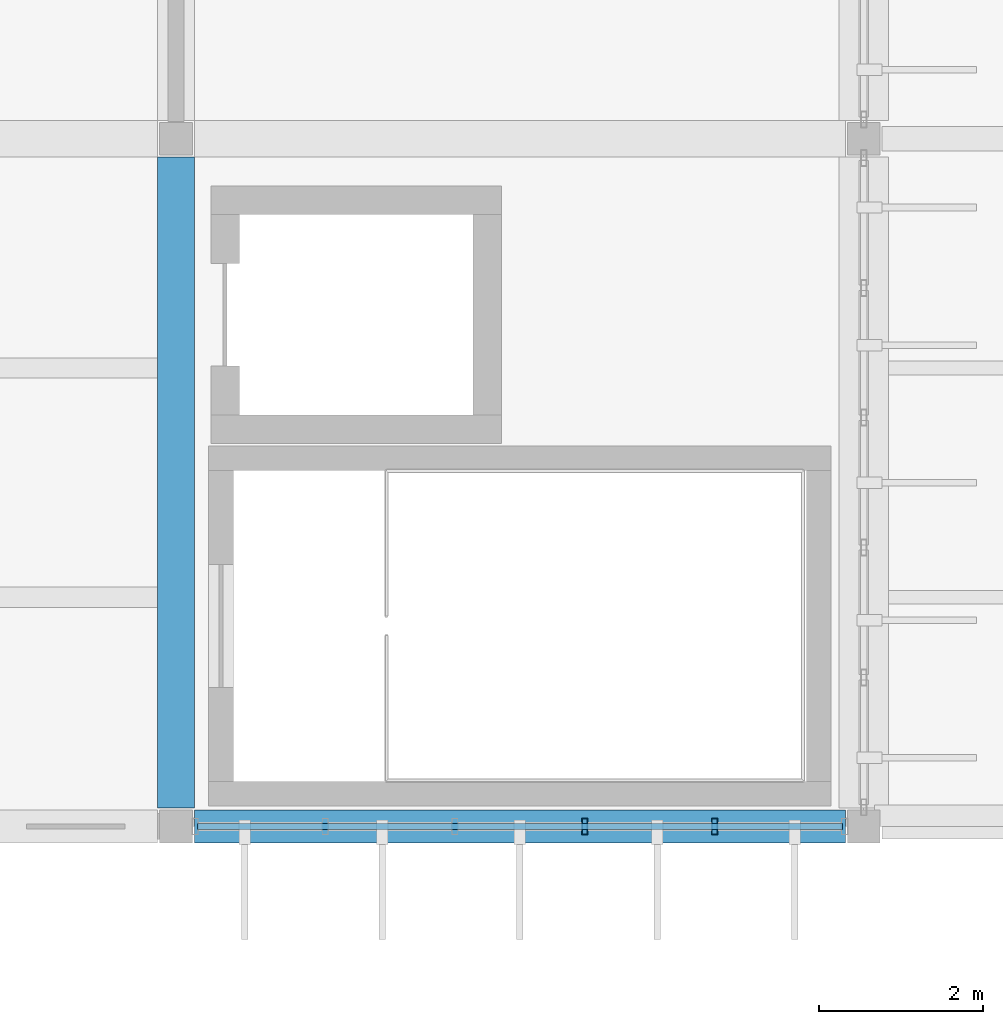
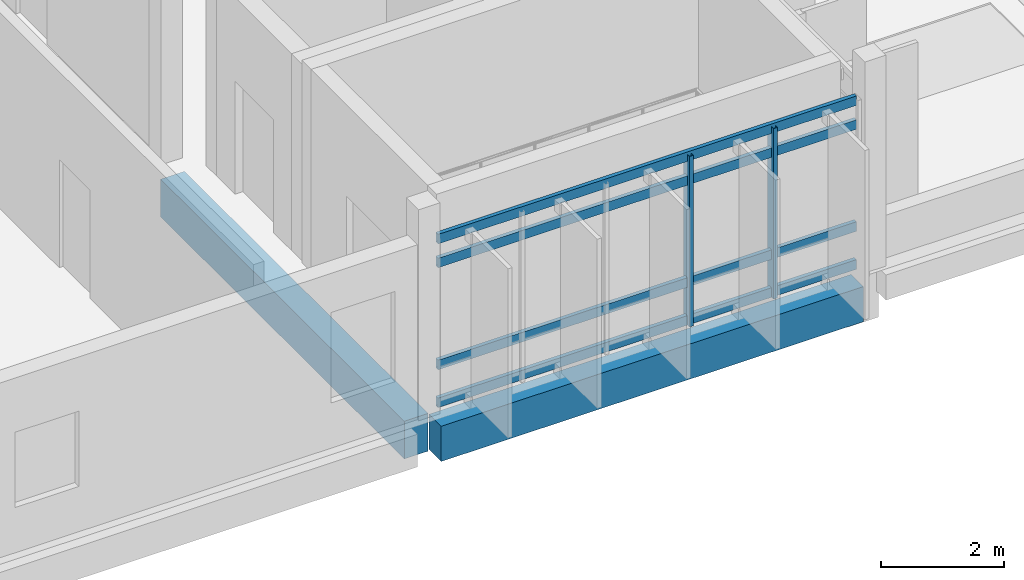
# One storey, part 4 of 41: 6 members, 2 beams, 1 element without a shape of its own.
"""IFC4 building model written with IfcOpenShell, lengths in metres."""

from ifc_helpers import new_model, si_unit, direction, frame, origin, origin_2d, place, context, subcontext, project, spatial, rectangle, hollow_rectangle, extrude, material, layer, layer_set, material_profile, profile_set, type_object, element, aggregate, save


model = new_model("IFC4")

# Units and contexts
model_context = context("Model", 3, precision=1e-05, world=origin(), true_north=direction((0.0, 1.0)))
body_context = subcontext(model_context, "Body", "Model", "MODEL_VIEW")
ifc_project = project(units=[si_unit("LENGTHUNIT", "METRE"), si_unit("AREAUNIT", "SQUARE_METRE"), si_unit("VOLUMEUNIT", "CUBIC_METRE"), si_unit("PLANEANGLEUNIT", "RADIAN"), si_unit("MASSUNIT", "GRAM", prefix="KILO")], contexts=[model_context])

# Site, building, storey
site_placement = place(None, origin())
site = spatial("IfcSite", under=ifc_project, at=site_placement, CompositionType="ELEMENT")
building_placement = place(site_placement, origin())
building = spatial("IfcBuilding", under=site, at=building_placement, Name="Vireocrest Preparatory School", CompositionType="ELEMENT")
storey_placement = place(building_placement, frame((0.0, 0.0, 21.60009765625)))
storey = spatial("IfcBuildingStorey", under=building, at=storey_placement, Name="L05", CompositionType="ELEMENT", Elevation=21.60009765625)

# Curtain wall, members
ifc_material_1 = material(Name="Thermally broken aluminium EN AW-6063-T6", Category="aluminium")
ifc_layer = layer(ifc_material_1, 0.179931640625)
ifc_layer_set = layer_set([ifc_layer], Name="Thermally broken aluminium EN AW-6063-T6")
curtain_wall_type = type_object("IfcCurtainWallType", Name="Side Facade Curtain Wall 9000x4200", PredefinedType="USERDEFINED", material=ifc_layer_set)
curtain_wall_placement = place(storey_placement, origin())
curtain_wall = element("IfcCurtainWall", 1, at=curtain_wall_placement, inside=storey, type_object=curtain_wall_type, Name="Curtain Wall CW07 CW_L05_CW07_0506_0438_216", ObjectType="CURTAIN WALL", PredefinedType="USERDEFINED")
ifc_material_profile_1 = material_profile(ifc_material_1, hollow_rectangle(XDim=0.074951171875, YDim=0.199951171875, WallThickness=0.0048828125, at=origin_2d()), Name="ALU 75x200x5")
ifc_profile_set_1 = profile_set([ifc_material_profile_1], Name="Thermally broken aluminium EN AW-6063-T6")
member_type_1 = type_object("IfcMemberType", Name="CW Mullion 75x200x5", PredefinedType="MULLION", material=ifc_profile_set_1)
member_1_placement = place(storey_placement, frame((55.39306640625, 43.800048828125, 0.0), z_axis=(0.0, 0.0, 1.0), x_axis=(1.0, 0.0, 0.0)))
member_1 = element("IfcMember", 2, at=member_1_placement, type_object=member_type_1, Name="CW Mullion ML3 CW_L05_CW07_0506_0438_216-4", PredefinedType="MULLION", context=body_context, shape_type="SweptSolid", body=[
    extrude(hollow_rectangle(XDim=0.074951171875, YDim=0.199951171875, WallThickness=0.0048828125, at=origin_2d()), origin(), (0.0, 0.0, 1.0), 3.39501953125),
])
member_2_placement = place(storey_placement, frame((56.97900390625, 43.800048828125, 0.0), z_axis=(0.0, 0.0, 1.0), x_axis=(1.0, 0.0, 0.0)))
member_2 = element("IfcMember", 3, at=member_2_placement, type_object=member_type_1, Name="CW Mullion ML3 CW_L05_CW07_0506_0438_216-5", PredefinedType="MULLION", context=body_context, shape_type="SweptSolid", body=[
    extrude(hollow_rectangle(XDim=0.074951171875, YDim=0.199951171875, WallThickness=0.0048828125, at=origin_2d()), origin(), (0.0, 0.0, 1.0), 3.39501953125),
])
ifc_material_profile_2 = material_profile(ifc_material_1, hollow_rectangle(XDim=0.074951171875, YDim=0.18994140625, WallThickness=0.00390625, at=origin_2d()), Name="ALU 75x190x4")
ifc_profile_set_2 = profile_set([ifc_material_profile_2], Name="Thermally broken aluminium EN AW-6063-T6")
member_type_2 = type_object("IfcMemberType", Name="CW Transom 75x190x4", PredefinedType="USERDEFINED", material=ifc_profile_set_2)
member_3_placement = place(storey_placement, frame((50.659912109375, 43.800048828125, 0.094970703125), z_axis=(1.0, 0.0, 0.0), x_axis=(0.0, 1.0, 0.0)))
member_3 = element("IfcMember", 4, at=member_3_placement, type_object=member_type_2, Name="CW Transom TR3 CW_L05_CW07_0506_0438_216-1", ObjectType="TRANSOM", PredefinedType="USERDEFINED", context=body_context, shape_type="SweptSolid", body=[
    extrude(hollow_rectangle(XDim=0.074951171875, YDim=0.18994140625, WallThickness=0.00390625, at=origin_2d()), origin(), (0.0, 0.0, 1.0), 7.880126953125),
])
member_4_placement = place(storey_placement, frame((50.659912109375, 43.800048828125, 0.849853515625), z_axis=(1.0, 0.0, 0.0), x_axis=(0.0, 1.0, 0.0)))
member_4 = element("IfcMember", 5, at=member_4_placement, type_object=member_type_2, Name="CW Transom TR3 CW_L05_CW07_0506_0438_216-2", ObjectType="TRANSOM", PredefinedType="USERDEFINED", context=body_context, shape_type="SweptSolid", body=[
    extrude(hollow_rectangle(XDim=0.074951171875, YDim=0.18994140625, WallThickness=0.00390625, at=origin_2d()), origin(), (0.0, 0.0, 1.0), 7.880126953125),
])
member_5_placement = place(storey_placement, frame((50.659912109375, 43.800048828125, 2.8798828125), z_axis=(1.0, 0.0, 0.0), x_axis=(0.0, 1.0, 0.0)))
member_5 = element("IfcMember", 6, at=member_5_placement, type_object=member_type_2, Name="CW Transom TR3 CW_L05_CW07_0506_0438_216-3", ObjectType="TRANSOM", PredefinedType="USERDEFINED", context=body_context, shape_type="SweptSolid", body=[
    extrude(hollow_rectangle(XDim=0.074951171875, YDim=0.18994140625, WallThickness=0.00390625, at=origin_2d()), origin(), (0.0, 0.0, 1.0), 7.880126953125),
])
member_6_placement = place(storey_placement, frame((50.659912109375, 43.800048828125, 3.35498046875), z_axis=(1.0, 0.0, 0.0), x_axis=(0.0, 1.0, 0.0)))
member_6 = element("IfcMember", 7, at=member_6_placement, type_object=member_type_2, Name="CW Transom TR3 CW_L05_CW07_0506_0438_216-4", ObjectType="TRANSOM", PredefinedType="USERDEFINED", context=body_context, shape_type="SweptSolid", body=[
    extrude(hollow_rectangle(XDim=0.074951171875, YDim=0.18994140625, WallThickness=0.00390625, at=origin_2d()), origin(), (0.0, 0.0, 1.0), 7.880126953125),
])
aggregate(curtain_wall, [member_1, member_2, member_3, member_4, member_5, member_6])

# Beams
ifc_material_2 = material(Name="Concrete 40 MPa", Category="concrete")
ifc_material_profile_3 = material_profile(ifc_material_2, rectangle(XDim=0.39990234375, YDim=0.699951171875, at=origin_2d()), Name="RC 400x700")
ifc_profile_set_3 = profile_set([ifc_material_profile_3], Name="Concrete 40 MPa")
beam_type_1 = type_object("IfcBeamType", Name="RC Corridor Girder 400x700", PredefinedType="BEAM", material=ifc_profile_set_3)
beam_1_placement = place(storey_placement, frame((50.625, 43.800048828125, -0.610107421875), z_axis=(1.0, 0.0, 0.0), x_axis=(0.0, 1.0, 0.0)))
element("IfcBeam", 8, at=beam_1_placement, inside=storey, type_object=beam_type_1, Name="Primary Girder B08 L05-1518", PredefinedType="BEAM", context=body_context, shape_type="SweptSolid", body=[
    extrude(rectangle(XDim=0.39990234375, YDim=0.699951171875, at=origin_2d()), origin(), (0.0, 0.0, 1.0), 7.949951171875),
])
ifc_material_profile_4 = material_profile(ifc_material_2, rectangle(XDim=0.449951171875, YDim=0.75, at=origin_2d()), Name="RC 450x750")
ifc_profile_set_4 = profile_set([ifc_material_profile_4], Name="Concrete 40 MPa")
beam_type_2 = type_object("IfcBeamType", Name="RC Library Stack Girder 450x750", PredefinedType="BEAM", material=ifc_profile_set_4)
beam_2_placement = place(storey_placement, frame((50.39990234375, 44.02490234375, -0.635009765625), z_axis=(0.0, 1.0, 0.0), x_axis=(-1.0, 0.0, 0.0)))
element("IfcBeam", 9, at=beam_2_placement, inside=storey, type_object=beam_type_2, Name="Primary Girder B11 L05-1570", PredefinedType="BEAM", context=body_context, shape_type="SweptSolid", body=[
    extrude(rectangle(XDim=0.449951171875, YDim=0.75, at=origin_2d()), origin(), (0.0, 0.0, 1.0), 7.9501953125),
])

save(model, "model.ifc")
